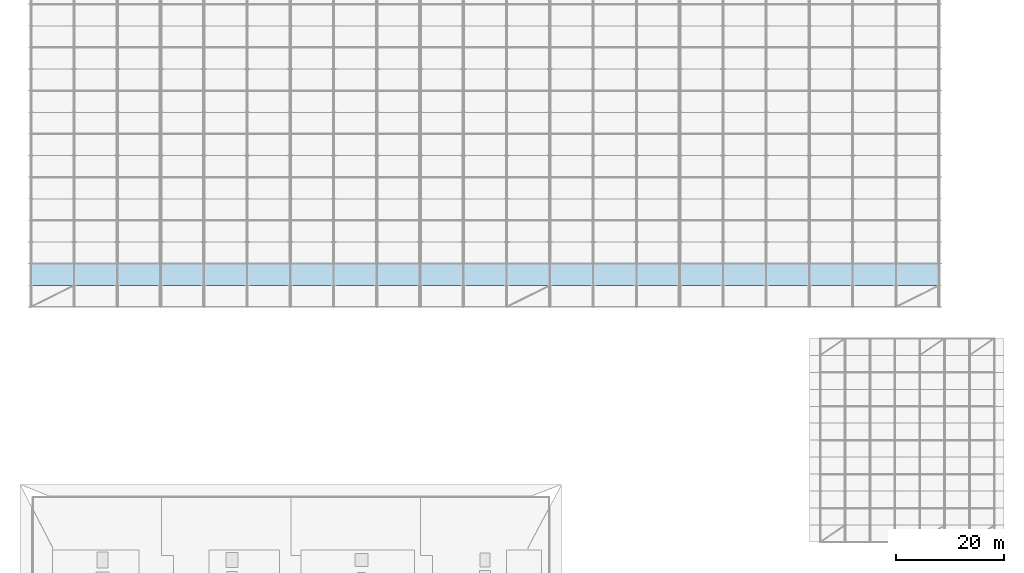
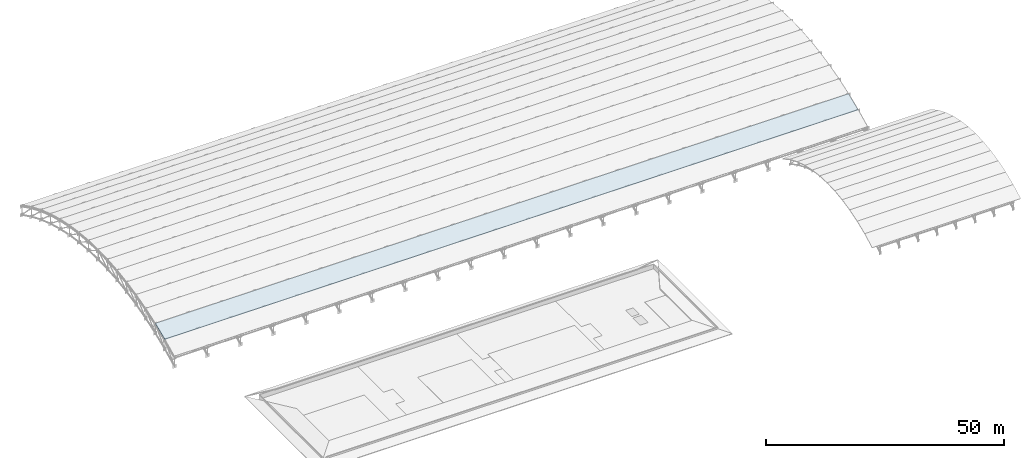
# One storey, part 64 of 98: 1 slab.
"""IFC4 building model written with IfcOpenShell, lengths in metres."""

from ifc_helpers import new_model, si_unit, direction, frame, origin, place, context, subcontext, project, spatial, polyline, outline, extrude, material, layer, layer_set, type_object, element, save


model = new_model("IFC4")

# Units and contexts
model_context = context("Model", 3, precision=1e-05, world=origin(), true_north=direction((0.0, 1.0)))
body_context = subcontext(model_context, "Body", "Model", "MODEL_VIEW")
ifc_project = project(units=[si_unit("LENGTHUNIT", "METRE"), si_unit("AREAUNIT", "SQUARE_METRE"), si_unit("VOLUMEUNIT", "CUBIC_METRE"), si_unit("PLANEANGLEUNIT", "RADIAN"), si_unit("MASSUNIT", "GRAM", prefix="KILO")], contexts=[model_context])

# Site, building, storey
site_placement = place(None, origin())
site = spatial("IfcSite", under=ifc_project, at=site_placement, CompositionType="ELEMENT")
building_placement = place(site_placement, origin())
building = spatial("IfcBuilding", under=site, at=building_placement, Name="Tlacozan Convention Centre", CompositionType="ELEMENT")
storey_placement = place(building_placement, frame((0.0, 0.0, 25.800048828125)))
storey = spatial("IfcBuildingStorey", under=building, at=storey_placement, Name="Roof", CompositionType="ELEMENT", Elevation=25.800048828125)

# Slab
ifc_material = material(Name="Concrete C40/50", Category="concrete")
ifc_layer = layer(ifc_material, 0.179931640625)
ifc_layer_set = layer_set([ifc_layer], Name="Concrete C40/50")
slab_type = type_object("IfcSlabType", Name="Exhibition Arched Roof Deck 180", PredefinedType="ROOF", material=ifc_layer_set)
slab_placement = place(storey_placement, frame((0.0, 66.0, -8.322265625), z_axis=(0.0, -0.382516157575, 0.923948802258), x_axis=(1.0, 0.0, 0.0)))
element("IfcSlab", 1, at=slab_placement, inside=storey, type_object=slab_type, Name="V2A Arched Roof Facet Slab 2", PredefinedType="ROOF", context=body_context, shape_type="SweptSolid", body=[
    extrude(outline(polyline([(0.0, 0.0), (168.0, 0.0), (168.0, 4.329244207281951), (0.0, 4.329244207281951), (0.0, 0.0)])), origin(), (0.0, 0.0, -1.0), 0.179931640625),
])

save(model, "model.ifc")
